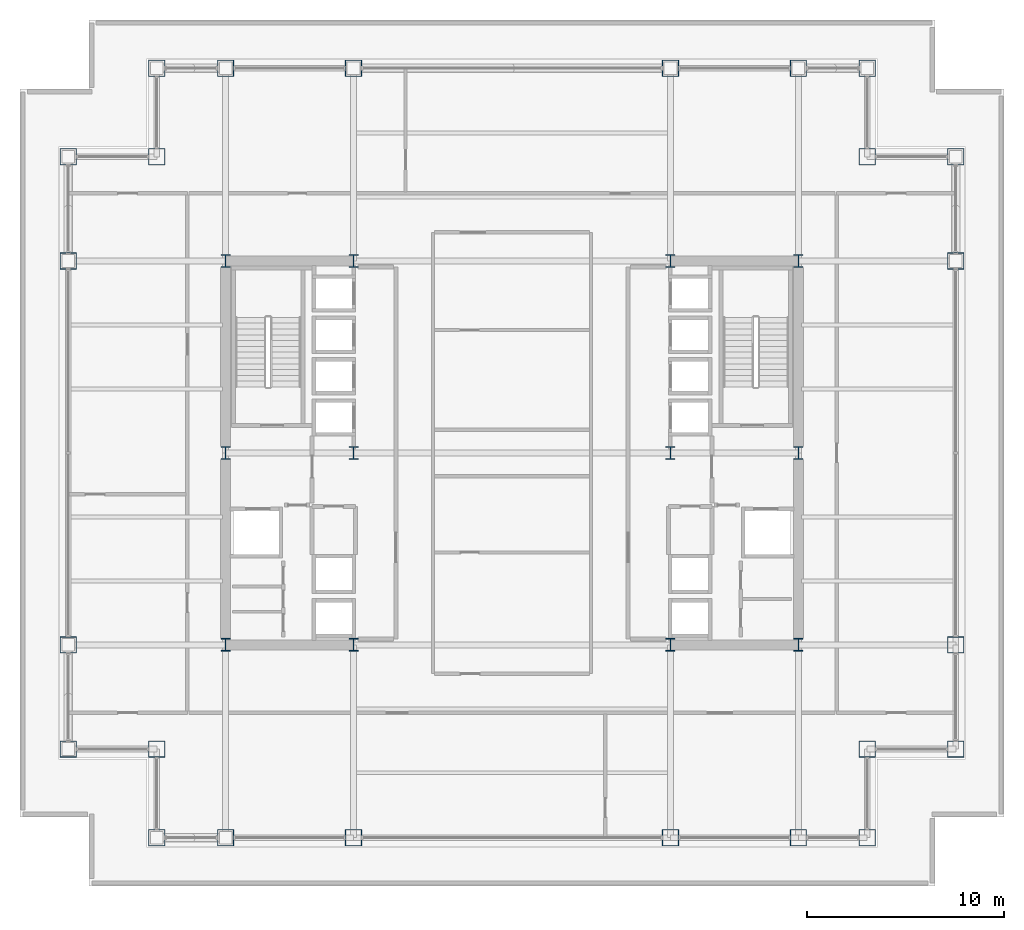
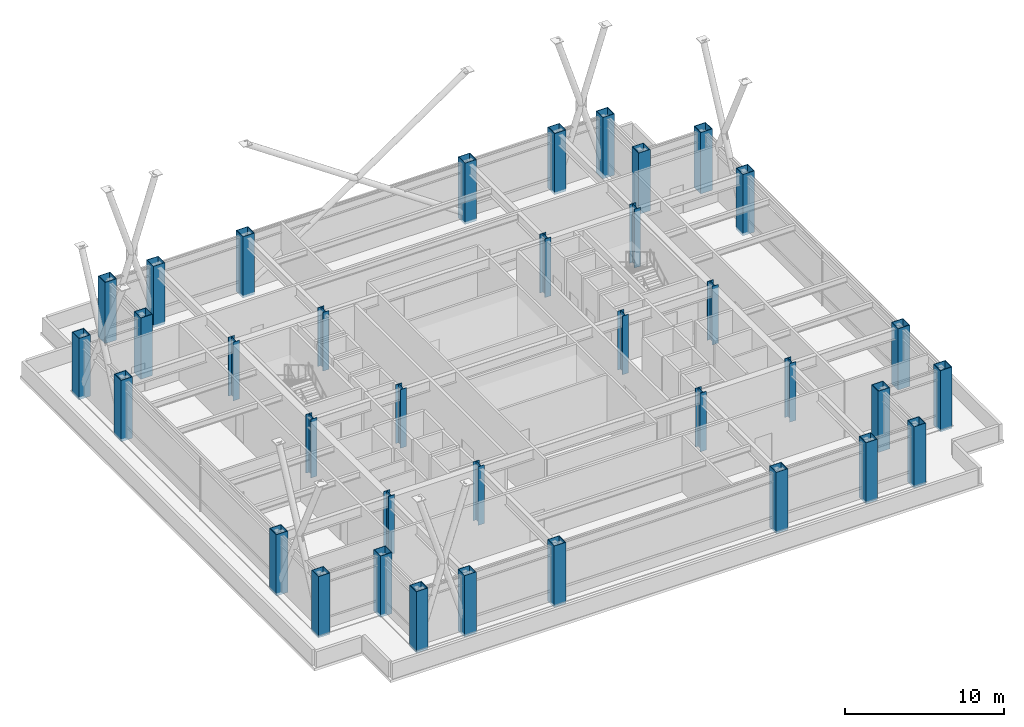
# One storey, part 1 of 32: 36 columns.
"""IFC4 building model written with IfcOpenShell, lengths in metres."""

from ifc_helpers import new_model, si_unit, direction, frame, origin, origin_2d, place, context, subcontext, project, spatial, hollow_rectangle, i_section, extrude, material, material_profile, profile_set, type_object, element, save


model = new_model("IFC4")

# Units and contexts
model_context = context("Model", 3, precision=1e-05, world=origin(), true_north=direction((0.0, 1.0)))
body_context = subcontext(model_context, "Body", "Model", "MODEL_VIEW")
ifc_project = project(units=[si_unit("LENGTHUNIT", "METRE"), si_unit("AREAUNIT", "SQUARE_METRE"), si_unit("VOLUMEUNIT", "CUBIC_METRE"), si_unit("PLANEANGLEUNIT", "RADIAN"), si_unit("MASSUNIT", "GRAM", prefix="KILO")], contexts=[model_context])

# Site, building, storey
site_placement = place(None, origin())
site = spatial("IfcSite", under=ifc_project, at=site_placement, CompositionType="ELEMENT")
building_placement = place(site_placement, origin())
building = spatial("IfcBuilding", under=site, at=building_placement, Name="Brelmoor Portico Tower", CompositionType="ELEMENT")
storey_placement = place(building_placement, frame((0.0, 0.0, 87.300048828125)))
storey = spatial("IfcBuildingStorey", under=building, at=storey_placement, Name="L22", CompositionType="ELEMENT", Elevation=87.300048828125)

# Columns
ifc_material = material(Name="Steel Q355B", Category="steel")
ifc_material_profile_1 = material_profile(ifc_material, hollow_rectangle(XDim=0.85009765625, YDim=0.85009765625, WallThickness=0.0400390625, at=origin_2d()), Name="BOX 850x850x40")
ifc_profile_set_1 = profile_set([ifc_material_profile_1], Name="Steel Q355B")
column_type_1 = type_object("IfcColumnType", Name="COL-MEGA-850", PredefinedType="COLUMN", material=ifc_profile_set_1)
for number, where, z_axis, x_axis, name in (
    (1, (-18.050048828125, -19.550048828125, -0.199951171875), (0.0, 0.0, 1.0), (1.0, 0.0, 0.0), "L22 Perimeter Mega-Column PS01"),
    (2, (-14.550048828125, -19.550048828125, -0.199951171875), (0.0, 0.0, 1.0), (1.0, 0.0, 0.0), "L22 Perimeter Mega-Column PS02"),
    (3, (-8.050048828125, -19.550048828125, -0.199951171875), (0.0, 0.0, 1.0), (1.0, 0.0, 0.0), "L22 Perimeter Mega-Column PS03"),
    (4, (8.050048828125, -19.550048828125, -0.199951171875), (0.0, 0.0, 1.0), (1.0, 0.0, 0.0), "L22 Perimeter Mega-Column PS04"),
    (5, (14.550048828125, -19.550048828125, -0.199951171875), (0.0, 0.0, 1.0), (1.0, 0.0, 0.0), "L22 Perimeter Mega-Column PS05"),
    (6, (18.050048828125, -19.550048828125, -0.199951171875), (0.0, 0.0, 1.0), (1.0, 0.0, 0.0), "L22 Perimeter Mega-Column PS06"),
    (7, (-18.050048828125, 19.550048828125, -0.199951171875), (0.0, 0.0, 1.0), (1.0, 0.0, 0.0), "L22 Perimeter Mega-Column PN01"),
    (8, (-14.550048828125, 19.550048828125, -0.199951171875), (0.0, 0.0, 1.0), (1.0, 0.0, 0.0), "L22 Perimeter Mega-Column PN02"),
    (9, (-8.050048828125, 19.550048828125, -0.199951171875), (0.0, 0.0, 1.0), (1.0, 0.0, 0.0), "L22 Perimeter Mega-Column PN03"),
    (10, (8.050048828125, 19.550048828125, -0.199951171875), (0.0, 0.0, 1.0), (1.0, 0.0, 0.0), "L22 Perimeter Mega-Column PN04"),
    (11, (14.550048828125, 19.550048828125, -0.199951171875), (0.0, 0.0, 1.0), (1.0, 0.0, 0.0), "L22 Perimeter Mega-Column PN05"),
    (12, (18.050048828125, 19.550048828125, -0.199951171875), (0.0, 0.0, 1.0), (1.0, 0.0, 0.0), "L22 Perimeter Mega-Column PN06"),
    (13, (-22.550048828125, -15.050048828125, -0.199951171875), (0.0, 0.0, 1.0), (0.0, 1.0, 0.0), "L22 Perimeter Mega-Column PW01"),
    (14, (-22.550048828125, -9.75, -0.199951171875), (0.0, 0.0, 1.0), (0.0, 1.0, 0.0), "L22 Perimeter Mega-Column PW02"),
    (15, (-22.550048828125, 9.75, -0.199951171875), (0.0, 0.0, 1.0), (0.0, 1.0, 0.0), "L22 Perimeter Mega-Column PW03"),
    (16, (-22.550048828125, 15.050048828125, -0.199951171875), (0.0, 0.0, 1.0), (0.0, 1.0, 0.0), "L22 Perimeter Mega-Column PW04"),
    (17, (22.550048828125, -15.050048828125, -0.199951171875), (0.0, 0.0, 1.0), (0.0, 1.0, 0.0), "L22 Perimeter Mega-Column PE01"),
    (18, (22.550048828125, -9.75, -0.199951171875), (0.0, 0.0, 1.0), (0.0, 1.0, 0.0), "L22 Perimeter Mega-Column PE02"),
    (19, (22.550048828125, 9.75, -0.199951171875), (0.0, 0.0, 1.0), (0.0, 1.0, 0.0), "L22 Perimeter Mega-Column PE03"),
    (20, (22.550048828125, 15.050048828125, -0.199951171875), (0.0, 0.0, 1.0), (0.0, 1.0, 0.0), "L22 Perimeter Mega-Column PE04"),
    (21, (-18.050048828125, 15.050048828125, -0.199951171875), (0.0, 0.0, 1.0), (1.0, 0.0, 0.0), "L22 Perimeter Mega-Column PC-NW"),
    (22, (18.050048828125, 15.050048828125, -0.199951171875), (0.0, 0.0, 1.0), (1.0, 0.0, 0.0), "L22 Perimeter Mega-Column PC-NE"),
    (23, (18.050048828125, -15.050048828125, -0.199951171875), (0.0, 0.0, 1.0), (1.0, 0.0, 0.0), "L22 Perimeter Mega-Column PC-SE"),
    (24, (-18.050048828125, -15.050048828125, -0.199951171875), (0.0, 0.0, 1.0), (1.0, 0.0, 0.0), "L22 Perimeter Mega-Column PC-SW"),
):
    element("IfcColumn", number, at=place(storey_placement, frame(where, z_axis=z_axis, x_axis=x_axis)), inside=storey, type_object=column_type_1, Name=name, PredefinedType="COLUMN", context=body_context, shape_type="SweptSolid", body=[
        extrude(hollow_rectangle(XDim=0.85009765625, YDim=0.85009765625, WallThickness=0.0400390625, at=origin_2d()), origin(), (0.0, 0.0, 1.0), 4.699951171875),
    ])
ifc_material_profile_2 = material_profile(ifc_material, i_section(OverallWidth=0.449951171875, OverallDepth=0.64990234375, WebThickness=0.02490234375, FlangeThickness=0.0400390625, at=origin_2d()), Name="HW 650x450x25x40")
ifc_profile_set_2 = profile_set([ifc_material_profile_2], Name="Steel Q355B")
column_type_2 = type_object("IfcColumnType", Name="COL-SPINE-650", PredefinedType="COLUMN", material=ifc_profile_set_2)
for number, where, z_axis, x_axis, name in (
    (25, (-14.550048828125, -9.75, 0.0), (0.0, 0.0, 1.0), (1.0, 0.0, 0.0), "L22 Core Spine Column CW-SW"),
    (26, (-14.550048828125, 0.0, 0.0), (0.0, 0.0, 1.0), (1.0, 0.0, 0.0), "L22 Core Spine Column CW-MW"),
    (27, (-14.550048828125, 9.75, 0.0), (0.0, 0.0, 1.0), (1.0, 0.0, 0.0), "L22 Core Spine Column CW-NW"),
    (28, (-8.050048828125, -9.75, 0.0), (0.0, 0.0, 1.0), (1.0, 0.0, 0.0), "L22 Core Spine Column CW-SE"),
    (29, (-8.050048828125, 0.0, 0.0), (0.0, 0.0, 1.0), (1.0, 0.0, 0.0), "L22 Core Spine Column CW-ME"),
    (30, (-8.050048828125, 9.75, 0.0), (0.0, 0.0, 1.0), (1.0, 0.0, 0.0), "L22 Core Spine Column CW-NE"),
    (31, (8.050048828125, -9.75, 0.0), (0.0, 0.0, 1.0), (1.0, 0.0, 0.0), "L22 Core Spine Column CE-SW"),
    (32, (8.050048828125, 0.0, 0.0), (0.0, 0.0, 1.0), (1.0, 0.0, 0.0), "L22 Core Spine Column CE-MW"),
    (33, (8.050048828125, 9.75, 0.0), (0.0, 0.0, 1.0), (1.0, 0.0, 0.0), "L22 Core Spine Column CE-NW"),
    (34, (14.550048828125, -9.75, 0.0), (0.0, 0.0, 1.0), (1.0, 0.0, 0.0), "L22 Core Spine Column CE-SE"),
    (35, (14.550048828125, 0.0, 0.0), (0.0, 0.0, 1.0), (1.0, 0.0, 0.0), "L22 Core Spine Column CE-ME"),
    (36, (14.550048828125, 9.75, 0.0), (0.0, 0.0, 1.0), (1.0, 0.0, 0.0), "L22 Core Spine Column CE-NE"),
):
    element("IfcColumn", number, at=place(storey_placement, frame(where, z_axis=z_axis, x_axis=x_axis)), inside=storey, type_object=column_type_2, Name=name, PredefinedType="COLUMN", context=body_context, shape_type="SweptSolid", body=[
        extrude(i_section(OverallWidth=0.449951171875, OverallDepth=0.64990234375, WebThickness=0.02490234375, FlangeThickness=0.0400390625, at=origin_2d()), origin(), (0.0, 0.0, 1.0), 4.5),
    ])

save(model, "model.ifc")
